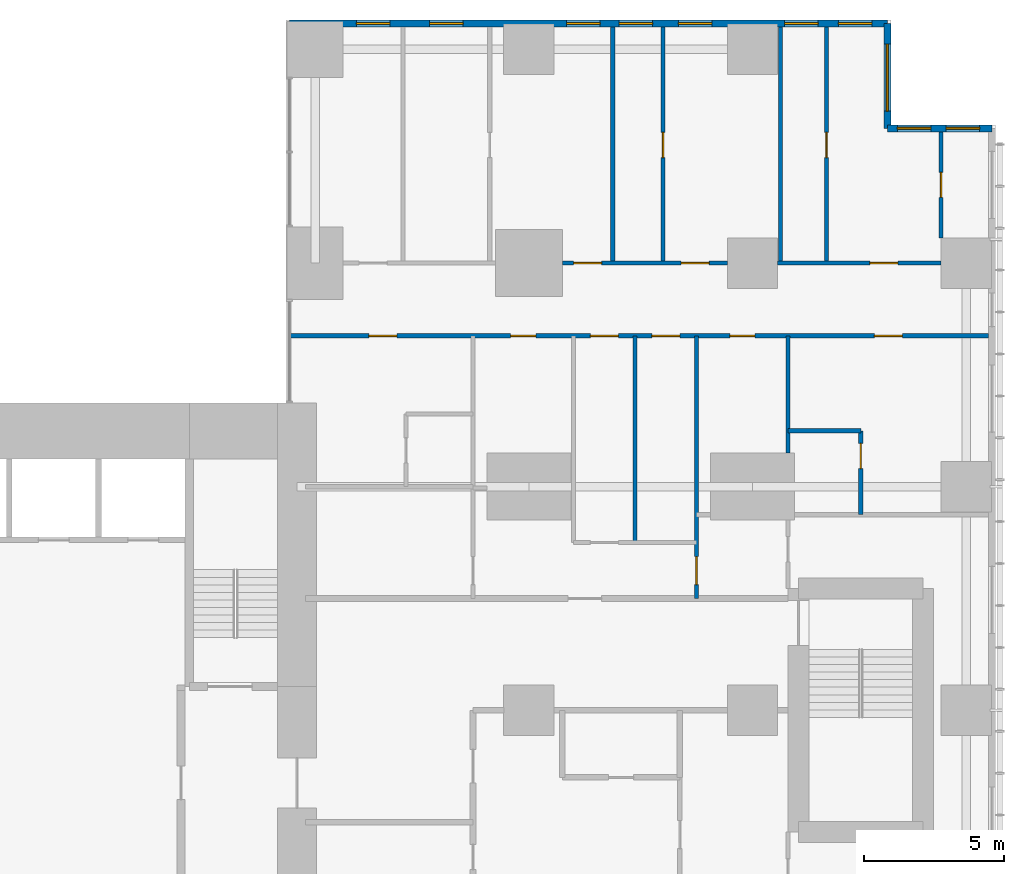
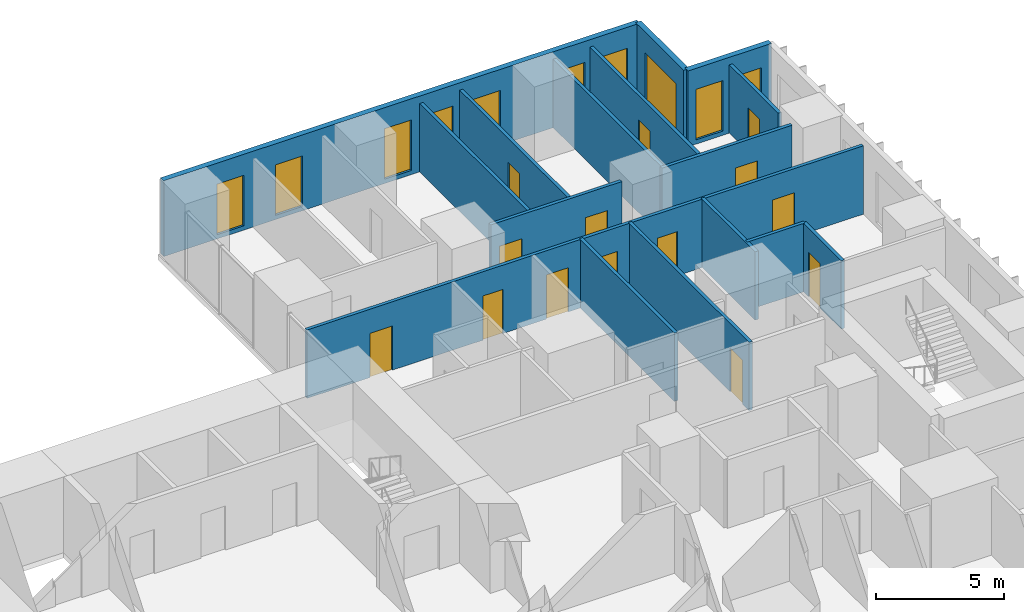
# One storey, part 13 of 15: 16 walls, 14 doors, 10 windows, 24 openings.
"""IFC4 building model written with IfcOpenShell, lengths in metres."""

from ifc_helpers import new_model, si_unit, direction, frame, frame_2d, origin, place, context, subcontext, project, spatial, rectangle, extrude, material, layer, layer_set, type_object, element, fill, save


model = new_model("IFC4")

# Units and contexts
model_context = context("Model", 3, precision=1e-05, world=origin(), true_north=direction((0.0, 1.0)))
body_context = subcontext(model_context, "Body", "Model", "MODEL_VIEW")
ifc_project = project(units=[si_unit("LENGTHUNIT", "METRE"), si_unit("AREAUNIT", "SQUARE_METRE"), si_unit("VOLUMEUNIT", "CUBIC_METRE"), si_unit("PLANEANGLEUNIT", "RADIAN"), si_unit("MASSUNIT", "GRAM", prefix="KILO")], contexts=[model_context])

# Site, building, storey
site_placement = place(None, origin())
site = spatial("IfcSite", under=ifc_project, at=site_placement, CompositionType="ELEMENT")
building_placement = place(site_placement, origin())
building = spatial("IfcBuilding", under=site, at=building_placement, Name="Cleftline Residences", CompositionType="ELEMENT")
storey_placement = place(building_placement, frame((0.0, 0.0, 221.800048828125)))
storey = spatial("IfcBuildingStorey", under=building, at=storey_placement, Name="L58", CompositionType="ELEMENT", Elevation=221.800048828125)

# Wall, openings, windows
ifc_material_1 = material(Name="Rendered reinforced concrete blockwork", Category="masonry")
ifc_layer_1 = layer(ifc_material_1, 0.25)
ifc_layer_set_1 = layer_set([ifc_layer_1], Name="EXTERNAL WALL 250")
wall_type_1 = type_object("IfcWallType", Name="EXTERNAL WALL 250", PredefinedType="SOLIDWALL", material=ifc_layer_set_1)
wall_1_placement = place(storey_placement, frame((66.574951171875, 44.824951171875, 0.0), z_axis=(0.0, 0.0, 1.0), x_axis=(-1.0, 0.0, 0.0)))
wall_1 = element("IfcWall", 1, at=wall_1_placement, inside=storey, type_object=wall_type_1, Name="External wall", PredefinedType="SOLIDWALL", context=body_context, shape_type="SweptSolid", body=[
    extrude(rectangle(XDim=3.75, YDim=0.25, at=frame_2d((1.875, 0.0))), origin(), (0.0, 0.0, 1.0), 3.599853515625),
])
opening_1_placement = place(wall_1_placement, frame((0.449951171875, 0.0, 0.199951171875)))
opening_1 = element("IfcOpeningElement", 2, at=opening_1_placement, cuts=wall_1, Name="Opening W13", PredefinedType="OPENING", context=body_context, shape_type="SweptSolid", body=[
    extrude(rectangle(XDim=1.199951171875, YDim=2.39990234375, at=frame_2d((0.60009765625, 1.199951171875))), frame((0.0, 0.135009765625, 0.0), z_axis=(0.0, -1.0, 0.0), x_axis=(1.0, 0.0, 0.0)), (0.0, 0.0, 1.0), 0.27001953125),
])
opening_2_placement = place(wall_1_placement, frame((2.1875, 0.0, 0.199951171875)))
opening_2 = element("IfcOpeningElement", 3, at=opening_2_placement, cuts=wall_1, Name="Opening W13", PredefinedType="OPENING", context=body_context, shape_type="SweptSolid", body=[
    extrude(rectangle(XDim=1.199951171875, YDim=2.39990234375, at=frame_2d((0.60009765625, 1.199951171875))), frame((0.0, 0.135009765625, 0.0), z_axis=(0.0, -1.0, 0.0), x_axis=(1.0, 0.0, 0.0)), (0.0, 0.0, 1.0), 0.27001953125),
])
ifc_material_2 = material(Name="Aluminium frame, clear double glazing", Category="aluminium")
window_type_1 = type_object("IfcWindowType", Name="WINDOW 1200X2400", PartitioningType="DOUBLE_PANEL_VERTICAL", PredefinedType="WINDOW", material=ifc_material_2)
window_1_placement = place(opening_1_placement, origin())
window_1 = element("IfcWindow", 4, at=window_1_placement, inside=storey, type_object=window_type_1, Name="Window", OverallHeight=2.39990234375, OverallWidth=1.199951171875, PartitioningType="SINGLE_PANEL", PredefinedType="WINDOW", context=body_context, shape_type="SweptSolid", body=[
    extrude(rectangle(XDim=1.199951171875, YDim=2.39990234375, at=frame_2d((0.60009765625, 1.199951171875))), frame((0.0, 0.030029296875, 0.0), z_axis=(0.0, -1.0, 0.0), x_axis=(1.0, 0.0, 0.0)), (0.0, 0.0, 1.0), 0.06005859375),
])
fill(opening_1, window_1)
window_2_placement = place(opening_2_placement, origin())
window_2 = element("IfcWindow", 5, at=window_2_placement, inside=storey, type_object=window_type_1, Name="Window", OverallHeight=2.39990234375, OverallWidth=1.199951171875, PartitioningType="SINGLE_PANEL", PredefinedType="WINDOW", context=body_context, shape_type="SweptSolid", body=[
    extrude(rectangle(XDim=1.199951171875, YDim=2.39990234375, at=frame_2d((0.60009765625, 1.199951171875))), frame((0.0, 0.030029296875, 0.0), z_axis=(0.0, -1.0, 0.0), x_axis=(1.0, 0.0, 0.0)), (0.0, 0.0, 1.0), 0.06005859375),
])
fill(opening_2, window_2)

# Wall, opening, window
wall_2_placement = place(storey_placement, frame((62.824951171875, 44.824951171875, 0.0), z_axis=(0.0, 0.0, 1.0), x_axis=(0.0, 1.0, 0.0)))
wall_2 = element("IfcWall", 6, at=wall_2_placement, inside=storey, type_object=wall_type_1, Name="External wall", PredefinedType="SOLIDWALL", context=body_context, shape_type="SweptSolid", body=[
    extrude(rectangle(XDim=3.75, YDim=0.25, at=frame_2d((1.875, 0.0))), origin(), (0.0, 0.0, 1.0), 3.599853515625),
])
opening_3_placement = place(wall_2_placement, frame((0.612548828125, 0.0, 0.199951171875)))
opening_3 = element("IfcOpeningElement", 7, at=opening_3_placement, cuts=wall_2, Name="Opening W9", PredefinedType="OPENING", context=body_context, shape_type="SweptSolid", body=[
    extrude(rectangle(XDim=2.39990234375, YDim=2.39990234375, at=frame_2d((1.199951171875, 1.199951171875))), frame((0.0, 0.135009765625, 0.0), z_axis=(0.0, -1.0, 0.0), x_axis=(1.0, 0.0, 0.0)), (0.0, 0.0, 1.0), 0.27001953125),
])
ifc_material_3 = material(Name="Aluminium frame, clear double glazing", Category="aluminium")
window_type_2 = type_object("IfcWindowType", Name="WINDOW 2400X2400", PartitioningType="DOUBLE_PANEL_VERTICAL", PredefinedType="WINDOW", material=ifc_material_3)
window_3_placement = place(opening_3_placement, origin())
window_3 = element("IfcWindow", 8, at=window_3_placement, inside=storey, type_object=window_type_2, Name="Window", OverallHeight=2.39990234375, OverallWidth=2.39990234375, PartitioningType="SINGLE_PANEL", PredefinedType="WINDOW", context=body_context, shape_type="SweptSolid", body=[
    extrude(rectangle(XDim=2.39990234375, YDim=2.39990234375, at=frame_2d((1.199951171875, 1.199951171875))), frame((0.0, 0.030029296875, 0.0), z_axis=(0.0, -1.0, 0.0), x_axis=(1.0, 0.0, 0.0)), (0.0, 0.0, 1.0), 0.06005859375),
])
fill(opening_3, window_3)

# Wall, openings, windows
wall_3_placement = place(storey_placement, frame((62.824951171875, 48.574951171875, 0.0), z_axis=(0.0, 0.0, 1.0), x_axis=(-1.0, 0.0, 0.0)))
wall_3 = element("IfcWall", 9, at=wall_3_placement, inside=storey, type_object=wall_type_1, Name="External wall", PredefinedType="SOLIDWALL", context=body_context, shape_type="SweptSolid", body=[
    extrude(rectangle(XDim=21.39990234375, YDim=0.25, at=frame_2d((10.699951171875, 0.0))), origin(), (0.0, 0.0, 1.0), 3.599853515625),
])
opening_4_placement = place(wall_3_placement, frame((0.550048828125, 0.0, 0.199951171875)))
opening_4 = element("IfcOpeningElement", 10, at=opening_4_placement, cuts=wall_3, Name="Opening W13", PredefinedType="OPENING", context=body_context, shape_type="SweptSolid", body=[
    extrude(rectangle(XDim=1.199951171875, YDim=2.39990234375, at=frame_2d((0.60009765625, 1.199951171875))), frame((0.0, 0.135009765625, 0.0), z_axis=(0.0, -1.0, 0.0), x_axis=(1.0, 0.0, 0.0)), (0.0, 0.0, 1.0), 0.27001953125),
])
opening_5_placement = place(wall_3_placement, frame((2.47509765625, 0.0, 0.199951171875)))
opening_5 = element("IfcOpeningElement", 11, at=opening_5_placement, cuts=wall_3, Name="Opening W13", PredefinedType="OPENING", context=body_context, shape_type="SweptSolid", body=[
    extrude(rectangle(XDim=1.199951171875, YDim=2.39990234375, at=frame_2d((0.60009765625, 1.199951171875))), frame((0.0, 0.135009765625, 0.0), z_axis=(0.0, -1.0, 0.0), x_axis=(1.0, 0.0, 0.0)), (0.0, 0.0, 1.0), 0.27001953125),
])
opening_6_placement = place(wall_3_placement, frame((6.27490234375, 0.0, 0.199951171875)))
opening_6 = element("IfcOpeningElement", 12, at=opening_6_placement, cuts=wall_3, Name="Opening W13", PredefinedType="OPENING", context=body_context, shape_type="SweptSolid", body=[
    extrude(rectangle(XDim=1.199951171875, YDim=2.39990234375, at=frame_2d((0.60009765625, 1.199951171875))), frame((0.0, 0.135009765625, 0.0), z_axis=(0.0, -1.0, 0.0), x_axis=(1.0, 0.0, 0.0)), (0.0, 0.0, 1.0), 0.27001953125),
])
opening_7_placement = place(wall_3_placement, frame((8.39990234375, 0.0, 0.199951171875)))
opening_7 = element("IfcOpeningElement", 13, at=opening_7_placement, cuts=wall_3, Name="Opening W13", PredefinedType="OPENING", context=body_context, shape_type="SweptSolid", body=[
    extrude(rectangle(XDim=1.199951171875, YDim=2.39990234375, at=frame_2d((0.60009765625, 1.199951171875))), frame((0.0, 0.135009765625, 0.0), z_axis=(0.0, -1.0, 0.0), x_axis=(1.0, 0.0, 0.0)), (0.0, 0.0, 1.0), 0.27001953125),
])
opening_8_placement = place(wall_3_placement, frame((10.27490234375, 0.0, 0.199951171875)))
opening_8 = element("IfcOpeningElement", 14, at=opening_8_placement, cuts=wall_3, Name="Opening W13", PredefinedType="OPENING", context=body_context, shape_type="SweptSolid", body=[
    extrude(rectangle(XDim=1.199951171875, YDim=2.39990234375, at=frame_2d((0.60009765625, 1.199951171875))), frame((0.0, 0.135009765625, 0.0), z_axis=(0.0, -1.0, 0.0), x_axis=(1.0, 0.0, 0.0)), (0.0, 0.0, 1.0), 0.27001953125),
])
opening_9_placement = place(wall_3_placement, frame((15.175048828125, 0.0, 0.199951171875)))
opening_9 = element("IfcOpeningElement", 15, at=opening_9_placement, cuts=wall_3, Name="Opening W13", PredefinedType="OPENING", context=body_context, shape_type="SweptSolid", body=[
    extrude(rectangle(XDim=1.199951171875, YDim=2.39990234375, at=frame_2d((0.60009765625, 1.199951171875))), frame((0.0, 0.135009765625, 0.0), z_axis=(0.0, -1.0, 0.0), x_axis=(1.0, 0.0, 0.0)), (0.0, 0.0, 1.0), 0.27001953125),
])
opening_10_placement = place(wall_3_placement, frame((17.800048828125, 0.0, 0.199951171875)))
opening_10 = element("IfcOpeningElement", 16, at=opening_10_placement, cuts=wall_3, Name="Opening W13", PredefinedType="OPENING", context=body_context, shape_type="SweptSolid", body=[
    extrude(rectangle(XDim=1.199951171875, YDim=2.39990234375, at=frame_2d((0.60009765625, 1.199951171875))), frame((0.0, 0.135009765625, 0.0), z_axis=(0.0, -1.0, 0.0), x_axis=(1.0, 0.0, 0.0)), (0.0, 0.0, 1.0), 0.27001953125),
])
window_4_placement = place(opening_4_placement, origin())
window_4 = element("IfcWindow", 17, at=window_4_placement, inside=storey, type_object=window_type_1, Name="Window", OverallHeight=2.39990234375, OverallWidth=1.199951171875, PartitioningType="SINGLE_PANEL", PredefinedType="WINDOW", context=body_context, shape_type="SweptSolid", body=[
    extrude(rectangle(XDim=1.199951171875, YDim=2.39990234375, at=frame_2d((0.60009765625, 1.199951171875))), frame((0.0, 0.030029296875, 0.0), z_axis=(0.0, -1.0, 0.0), x_axis=(1.0, 0.0, 0.0)), (0.0, 0.0, 1.0), 0.06005859375),
])
fill(opening_4, window_4)
window_5_placement = place(opening_5_placement, origin())
window_5 = element("IfcWindow", 18, at=window_5_placement, inside=storey, type_object=window_type_1, Name="Window", OverallHeight=2.39990234375, OverallWidth=1.199951171875, PartitioningType="SINGLE_PANEL", PredefinedType="WINDOW", context=body_context, shape_type="SweptSolid", body=[
    extrude(rectangle(XDim=1.199951171875, YDim=2.39990234375, at=frame_2d((0.60009765625, 1.199951171875))), frame((0.0, 0.030029296875, 0.0), z_axis=(0.0, -1.0, 0.0), x_axis=(1.0, 0.0, 0.0)), (0.0, 0.0, 1.0), 0.06005859375),
])
fill(opening_5, window_5)
window_6_placement = place(opening_6_placement, origin())
window_6 = element("IfcWindow", 19, at=window_6_placement, inside=storey, type_object=window_type_1, Name="Window", OverallHeight=2.39990234375, OverallWidth=1.199951171875, PartitioningType="SINGLE_PANEL", PredefinedType="WINDOW", context=body_context, shape_type="SweptSolid", body=[
    extrude(rectangle(XDim=1.199951171875, YDim=2.39990234375, at=frame_2d((0.60009765625, 1.199951171875))), frame((0.0, 0.030029296875, 0.0), z_axis=(0.0, -1.0, 0.0), x_axis=(1.0, 0.0, 0.0)), (0.0, 0.0, 1.0), 0.06005859375),
])
fill(opening_6, window_6)
window_7_placement = place(opening_7_placement, origin())
window_7 = element("IfcWindow", 20, at=window_7_placement, inside=storey, type_object=window_type_1, Name="Window", OverallHeight=2.39990234375, OverallWidth=1.199951171875, PartitioningType="SINGLE_PANEL", PredefinedType="WINDOW", context=body_context, shape_type="SweptSolid", body=[
    extrude(rectangle(XDim=1.199951171875, YDim=2.39990234375, at=frame_2d((0.60009765625, 1.199951171875))), frame((0.0, 0.030029296875, 0.0), z_axis=(0.0, -1.0, 0.0), x_axis=(1.0, 0.0, 0.0)), (0.0, 0.0, 1.0), 0.06005859375),
])
fill(opening_7, window_7)
window_8_placement = place(opening_8_placement, origin())
window_8 = element("IfcWindow", 21, at=window_8_placement, inside=storey, type_object=window_type_1, Name="Window", OverallHeight=2.39990234375, OverallWidth=1.199951171875, PartitioningType="SINGLE_PANEL", PredefinedType="WINDOW", context=body_context, shape_type="SweptSolid", body=[
    extrude(rectangle(XDim=1.199951171875, YDim=2.39990234375, at=frame_2d((0.60009765625, 1.199951171875))), frame((0.0, 0.030029296875, 0.0), z_axis=(0.0, -1.0, 0.0), x_axis=(1.0, 0.0, 0.0)), (0.0, 0.0, 1.0), 0.06005859375),
])
fill(opening_8, window_8)
window_9_placement = place(opening_9_placement, origin())
window_9 = element("IfcWindow", 22, at=window_9_placement, inside=storey, type_object=window_type_1, Name="Window", OverallHeight=2.39990234375, OverallWidth=1.199951171875, PartitioningType="SINGLE_PANEL", PredefinedType="WINDOW", context=body_context, shape_type="SweptSolid", body=[
    extrude(rectangle(XDim=1.199951171875, YDim=2.39990234375, at=frame_2d((0.60009765625, 1.199951171875))), frame((0.0, 0.030029296875, 0.0), z_axis=(0.0, -1.0, 0.0), x_axis=(1.0, 0.0, 0.0)), (0.0, 0.0, 1.0), 0.06005859375),
])
fill(opening_9, window_9)
window_10_placement = place(opening_10_placement, origin())
window_10 = element("IfcWindow", 23, at=window_10_placement, inside=storey, type_object=window_type_1, Name="Window", OverallHeight=2.39990234375, OverallWidth=1.199951171875, PartitioningType="SINGLE_PANEL", PredefinedType="WINDOW", context=body_context, shape_type="SweptSolid", body=[
    extrude(rectangle(XDim=1.199951171875, YDim=2.39990234375, at=frame_2d((0.60009765625, 1.199951171875))), frame((0.0, 0.030029296875, 0.0), z_axis=(0.0, -1.0, 0.0), x_axis=(1.0, 0.0, 0.0)), (0.0, 0.0, 1.0), 0.06005859375),
])
fill(opening_10, window_10)

# Wall
ifc_material_4 = material(Name="Gypsum board on steel studs", Category="steel")
ifc_layer_2 = layer(ifc_material_4, 0.14990234375)
ifc_layer_set_2 = layer_set([ifc_layer_2], Name="PARTITION 150")
wall_type_2 = type_object("IfcWallType", Name="PARTITION 150", PredefinedType="PARTITIONING", material=ifc_layer_set_2)
wall_4_placement = place(storey_placement, frame((59.27490234375, 34.0, 0.0), z_axis=(0.0, 0.0, 1.0), x_axis=(1.0, 0.0, 0.0)))
element("IfcWall", 24, at=wall_4_placement, inside=storey, type_object=wall_type_2, Name="Partition", PredefinedType="PARTITIONING", context=body_context, shape_type="SweptSolid", body=[
    extrude(rectangle(XDim=2.60009765625, YDim=0.14990234375, at=frame_2d((1.300048828125, 0.0))), origin(), (0.0, 0.0, 1.0), 3.25),
])

# Wall, openings, doors
wall_5_placement = place(storey_placement, frame((41.43896484375, 37.39990234375, 0.0), z_axis=(0.0, 0.0, 1.0), x_axis=(1.0, 0.0, 0.0)))
wall_5 = element("IfcWall", 25, at=wall_5_placement, inside=storey, type_object=wall_type_2, Name="Partition", PredefinedType="PARTITIONING", context=body_context, shape_type="SweptSolid", body=[
    extrude(rectangle(XDim=25.010986328125, YDim=0.14990234375, at=frame_2d((12.50537109375, 0.0))), origin(), (0.0, 0.0, 1.0), 3.25),
])
opening_11_placement = place(wall_5_placement, frame((10.760986328125, 0.0, 0.0)))
opening_11 = element("IfcOpeningElement", 26, at=opening_11_placement, cuts=wall_5, Name="Opening D2", PredefinedType="OPENING", context=body_context, shape_type="SweptSolid", body=[
    extrude(rectangle(XDim=1.0, YDim=2.10009765625, at=frame_2d((0.5, 1.050048828125))), frame((0.0, 0.0849609375, 0.0), z_axis=(0.0, -1.0, 0.0), x_axis=(1.0, 0.0, 0.0)), (0.0, 0.0, 1.0), 0.169921875),
])
opening_12_placement = place(wall_5_placement, frame((20.923583984375, 0.0, 0.0)))
opening_12 = element("IfcOpeningElement", 27, at=opening_12_placement, cuts=wall_5, Name="Opening D2", PredefinedType="OPENING", context=body_context, shape_type="SweptSolid", body=[
    extrude(rectangle(XDim=1.0, YDim=2.10009765625, at=frame_2d((0.5, 1.050048828125))), frame((0.0, 0.0849609375, 0.0), z_axis=(0.0, -1.0, 0.0), x_axis=(1.0, 0.0, 0.0)), (0.0, 0.0, 1.0), 0.169921875),
])
opening_13_placement = place(wall_5_placement, frame((15.74853515625, 0.0, 0.0)))
opening_13 = element("IfcOpeningElement", 28, at=opening_13_placement, cuts=wall_5, Name="Opening D1", PredefinedType="OPENING", context=body_context, shape_type="SweptSolid", body=[
    extrude(rectangle(XDim=0.89990234375, YDim=2.10009765625, at=frame_2d((0.449951171875, 1.050048828125))), frame((0.0, 0.0849609375, 0.0), z_axis=(0.0, -1.0, 0.0), x_axis=(1.0, 0.0, 0.0)), (0.0, 0.0, 1.0), 0.169921875),
])
opening_14_placement = place(wall_5_placement, frame((12.9609375, 0.0, 0.0)))
opening_14 = element("IfcOpeningElement", 29, at=opening_14_placement, cuts=wall_5, Name="Opening D2", PredefinedType="OPENING", context=body_context, shape_type="SweptSolid", body=[
    extrude(rectangle(XDim=1.0, YDim=2.10009765625, at=frame_2d((0.5, 1.050048828125))), frame((0.0, 0.0849609375, 0.0), z_axis=(0.0, -1.0, 0.0), x_axis=(1.0, 0.0, 0.0)), (0.0, 0.0, 1.0), 0.169921875),
])
opening_15_placement = place(wall_5_placement, frame((7.910888671875, 0.0, 0.0)))
opening_15 = element("IfcOpeningElement", 30, at=opening_15_placement, cuts=wall_5, Name="Opening D1", PredefinedType="OPENING", context=body_context, shape_type="SweptSolid", body=[
    extrude(rectangle(XDim=0.89990234375, YDim=2.10009765625, at=frame_2d((0.449951171875, 1.050048828125))), frame((0.0, 0.0849609375, 0.0), z_axis=(0.0, -1.0, 0.0), x_axis=(1.0, 0.0, 0.0)), (0.0, 0.0, 1.0), 0.169921875),
])
opening_16_placement = place(wall_5_placement, frame((2.8359375, 0.0, 0.0)))
opening_16 = element("IfcOpeningElement", 31, at=opening_16_placement, cuts=wall_5, Name="Opening D2", PredefinedType="OPENING", context=body_context, shape_type="SweptSolid", body=[
    extrude(rectangle(XDim=1.0, YDim=2.10009765625, at=frame_2d((0.5, 1.050048828125))), frame((0.0, 0.0849609375, 0.0), z_axis=(0.0, -1.0, 0.0), x_axis=(1.0, 0.0, 0.0)), (0.0, 0.0, 1.0), 0.169921875),
])
ifc_material_5 = material(Name="Timber veneer on solid core", Category="wood")
door_type_1 = type_object("IfcDoorType", Name="DOOR 1000X2100", OperationType="SINGLE_SWING_LEFT", PredefinedType="DOOR", material=ifc_material_5)
door_1_placement = place(opening_11_placement, origin())
door_1 = element("IfcDoor", 32, at=door_1_placement, inside=storey, type_object=door_type_1, Name="Door to residence hall", OperationType="SINGLE_SWING_RIGHT", OverallHeight=2.10009765625, OverallWidth=1.0, PredefinedType="DOOR", context=body_context, shape_type="SweptSolid", body=[
    extrude(rectangle(XDim=1.0, YDim=2.10009765625, at=frame_2d((0.5, 1.050048828125))), frame((0.0, 0.02490234375, 0.0), z_axis=(0.0, -1.0, 0.0), x_axis=(1.0, 0.0, 0.0)), (0.0, 0.0, 1.0), 0.050048828125),
])
fill(opening_11, door_1)
door_2_placement = place(opening_12_placement, origin())
door_2 = element("IfcDoor", 33, at=door_2_placement, inside=storey, type_object=door_type_1, Name="Door to master bedroom", OperationType="SINGLE_SWING_LEFT", OverallHeight=2.10009765625, OverallWidth=1.0, PredefinedType="DOOR", context=body_context, shape_type="SweptSolid", body=[
    extrude(rectangle(XDim=1.0, YDim=2.10009765625, at=frame_2d((0.5, 1.050048828125))), frame((0.0, 0.02490234375, 0.0), z_axis=(0.0, -1.0, 0.0), x_axis=(1.0, 0.0, 0.0)), (0.0, 0.0, 1.0), 0.050048828125),
])
fill(opening_12, door_2)
door_3_placement = place(opening_14_placement, origin())
door_3 = element("IfcDoor", 34, at=door_3_placement, inside=storey, type_object=door_type_1, Name="Door to media room", OperationType="SINGLE_SWING_LEFT", OverallHeight=2.10009765625, OverallWidth=1.0, PredefinedType="DOOR", context=body_context, shape_type="SweptSolid", body=[
    extrude(rectangle(XDim=1.0, YDim=2.10009765625, at=frame_2d((0.5, 1.050048828125))), frame((0.0, 0.02490234375, 0.0), z_axis=(0.0, -1.0, 0.0), x_axis=(1.0, 0.0, 0.0)), (0.0, 0.0, 1.0), 0.050048828125),
])
fill(opening_14, door_3)
door_4_placement = place(opening_16_placement, origin())
door_4 = element("IfcDoor", 35, at=door_4_placement, inside=storey, type_object=door_type_1, Name="Door to bedroom 5", OperationType="SINGLE_SWING_RIGHT", OverallHeight=2.10009765625, OverallWidth=1.0, PredefinedType="DOOR", context=body_context, shape_type="SweptSolid", body=[
    extrude(rectangle(XDim=1.0, YDim=2.10009765625, at=frame_2d((0.5, 1.050048828125))), frame((0.0, 0.02490234375, 0.0), z_axis=(0.0, -1.0, 0.0), x_axis=(1.0, 0.0, 0.0)), (0.0, 0.0, 1.0), 0.050048828125),
])
fill(opening_16, door_4)
ifc_material_6 = material(Name="Timber veneer on solid core", Category="wood")
door_type_2 = type_object("IfcDoorType", Name="DOOR 900X2100", OperationType="SINGLE_SWING_LEFT", PredefinedType="DOOR", material=ifc_material_6)
door_5_placement = place(opening_13_placement, origin())
door_5 = element("IfcDoor", 36, at=door_5_placement, inside=storey, type_object=door_type_2, Name="Door to bedroom 2 bathroom", OperationType="SINGLE_SWING_LEFT", OverallHeight=2.10009765625, OverallWidth=0.89990234375, PredefinedType="DOOR", context=body_context, shape_type="SweptSolid", body=[
    extrude(rectangle(XDim=0.89990234375, YDim=2.10009765625, at=frame_2d((0.449951171875, 1.050048828125))), frame((0.0, 0.02490234375, 0.0), z_axis=(0.0, -1.0, 0.0), x_axis=(1.0, 0.0, 0.0)), (0.0, 0.0, 1.0), 0.050048828125),
])
fill(opening_13, door_5)
door_6_placement = place(opening_15_placement, origin())
door_6 = element("IfcDoor", 37, at=door_6_placement, inside=storey, type_object=door_type_2, Name="Door to linen store", OperationType="SINGLE_SWING_RIGHT", OverallHeight=2.10009765625, OverallWidth=0.89990234375, PredefinedType="DOOR", context=body_context, shape_type="SweptSolid", body=[
    extrude(rectangle(XDim=0.89990234375, YDim=2.10009765625, at=frame_2d((0.449951171875, 1.050048828125))), frame((0.0, 0.02490234375, 0.0), z_axis=(0.0, -1.0, 0.0), x_axis=(1.0, 0.0, 0.0)), (0.0, 0.0, 1.0), 0.050048828125),
])
fill(opening_15, door_6)

wall_6_placement = place(storey_placement, frame((51.199951171875, 40.0, 0.0), z_axis=(0.0, 0.0, 1.0), x_axis=(1.0, 0.0, 0.0)))
wall_6 = element("IfcWall", 38, at=wall_6_placement, inside=storey, type_object=wall_type_2, Name="Partition", PredefinedType="PARTITIONING", context=body_context, shape_type="SweptSolid", body=[
    extrude(rectangle(XDim=5.900146484375, YDim=0.14990234375, at=frame_2d((2.9501953125, 0.0))), origin(), (0.0, 0.0, 1.0), 3.25),
])
opening_17_placement = place(wall_6_placement, frame((4.25, 0.0, 0.0)))
opening_17 = element("IfcOpeningElement", 39, at=opening_17_placement, cuts=wall_6, Name="Opening D2", PredefinedType="OPENING", context=body_context, shape_type="SweptSolid", body=[
    extrude(rectangle(XDim=1.0, YDim=2.10009765625, at=frame_2d((0.5, 1.050048828125))), frame((0.0, 0.0849609375, 0.0), z_axis=(0.0, -1.0, 0.0), x_axis=(1.0, 0.0, 0.0)), (0.0, 0.0, 1.0), 0.169921875),
])
opening_18_placement = place(wall_6_placement, frame((0.39990234375, 0.0, 0.0)))
opening_18 = element("IfcOpeningElement", 40, at=opening_18_placement, cuts=wall_6, Name="Opening D2", PredefinedType="OPENING", context=body_context, shape_type="SweptSolid", body=[
    extrude(rectangle(XDim=1.0, YDim=2.10009765625, at=frame_2d((0.5, 1.050048828125))), frame((0.0, 0.0849609375, 0.0), z_axis=(0.0, -1.0, 0.0), x_axis=(1.0, 0.0, 0.0)), (0.0, 0.0, 1.0), 0.169921875),
])
door_7_placement = place(opening_17_placement, origin())
door_7 = element("IfcDoor", 41, at=door_7_placement, inside=storey, type_object=door_type_1, Name="Door to bedroom 3", OperationType="SINGLE_SWING_LEFT", OverallHeight=2.10009765625, OverallWidth=1.0, PredefinedType="DOOR", context=body_context, shape_type="SweptSolid", body=[
    extrude(rectangle(XDim=1.0, YDim=2.10009765625, at=frame_2d((0.5, 1.050048828125))), frame((0.0, 0.02490234375, 0.0), z_axis=(0.0, -1.0, 0.0), x_axis=(1.0, 0.0, 0.0)), (0.0, 0.0, 1.0), 0.050048828125),
])
fill(opening_17, door_7)
door_8_placement = place(opening_18_placement, origin())
door_8 = element("IfcDoor", 42, at=door_8_placement, inside=storey, type_object=door_type_1, Name="Door to bedroom 4", OperationType="SINGLE_SWING_RIGHT", OverallHeight=2.10009765625, OverallWidth=1.0, PredefinedType="DOOR", context=body_context, shape_type="SweptSolid", body=[
    extrude(rectangle(XDim=1.0, YDim=2.10009765625, at=frame_2d((0.5, 1.050048828125))), frame((0.0, 0.02490234375, 0.0), z_axis=(0.0, -1.0, 0.0), x_axis=(1.0, 0.0, 0.0)), (0.0, 0.0, 1.0), 0.050048828125),
])
fill(opening_18, door_8)

# Wall, opening, door
wall_7_placement = place(storey_placement, frame((58.89990234375, 40.0, 0.0), z_axis=(0.0, 0.0, 1.0), x_axis=(1.0, 0.0, 0.0)))
wall_7 = element("IfcWall", 43, at=wall_7_placement, inside=storey, type_object=wall_type_2, Name="Partition", PredefinedType="PARTITIONING", context=body_context, shape_type="SweptSolid", body=[
    extrude(rectangle(XDim=5.85009765625, YDim=0.14990234375, at=frame_2d((2.925048828125, 0.0))), origin(), (0.0, 0.0, 1.0), 3.25),
])
opening_19_placement = place(wall_7_placement, frame((3.300048828125, 0.0, 0.0)))
opening_19 = element("IfcOpeningElement", 44, at=opening_19_placement, cuts=wall_7, Name="Opening D2", PredefinedType="OPENING", context=body_context, shape_type="SweptSolid", body=[
    extrude(rectangle(XDim=1.0, YDim=2.10009765625, at=frame_2d((0.5, 1.050048828125))), frame((0.0, 0.0849609375, 0.0), z_axis=(0.0, -1.0, 0.0), x_axis=(1.0, 0.0, 0.0)), (0.0, 0.0, 1.0), 0.169921875),
])
door_9_placement = place(opening_19_placement, origin())
door_9 = element("IfcDoor", 45, at=door_9_placement, inside=storey, type_object=door_type_1, Name="Door to bedroom 2", OperationType="SINGLE_SWING_LEFT", OverallHeight=2.10009765625, OverallWidth=1.0, PredefinedType="DOOR", context=body_context, shape_type="SweptSolid", body=[
    extrude(rectangle(XDim=1.0, YDim=2.10009765625, at=frame_2d((0.5, 1.050048828125))), frame((0.0, 0.02490234375, 0.0), z_axis=(0.0, -1.0, 0.0), x_axis=(1.0, 0.0, 0.0)), (0.0, 0.0, 1.0), 0.050048828125),
])
fill(opening_19, door_9)

# Walls
wall_8_placement = place(storey_placement, frame((53.0, 40.0, 0.0), z_axis=(0.0, 0.0, 1.0), x_axis=(0.0, 1.0, 0.0)))
element("IfcWall", 46, at=wall_8_placement, inside=storey, type_object=wall_type_2, Name="Partition", PredefinedType="PARTITIONING", context=body_context, shape_type="SweptSolid", body=[
    extrude(rectangle(XDim=8.449951171875, YDim=0.14990234375, at=frame_2d((4.22509765625, 0.0))), origin(), (0.0, 0.0, 1.0), 3.25),
])
wall_9_placement = place(storey_placement, frame((53.800048828125, 30.0, 0.0), z_axis=(0.0, 0.0, 1.0), x_axis=(0.0, 1.0, 0.0)))
element("IfcWall", 47, at=wall_9_placement, inside=storey, type_object=wall_type_2, Name="Partition", PredefinedType="PARTITIONING", context=body_context, shape_type="SweptSolid", body=[
    extrude(rectangle(XDim=7.39990234375, YDim=0.14990234375, at=frame_2d((3.699951171875, 0.0))), origin(), (0.0, 0.0, 1.0), 3.25),
])

# Wall, opening, door
wall_10_placement = place(storey_placement, frame((54.800048828125, 40.0, 0.0), z_axis=(0.0, 0.0, 1.0), x_axis=(0.0, 1.0, 0.0)))
wall_10 = element("IfcWall", 48, at=wall_10_placement, inside=storey, type_object=wall_type_2, Name="Partition", PredefinedType="PARTITIONING", context=body_context, shape_type="SweptSolid", body=[
    extrude(rectangle(XDim=8.449951171875, YDim=0.14990234375, at=frame_2d((4.22509765625, 0.0))), origin(), (0.0, 0.0, 1.0), 3.25),
])
opening_20_placement = place(wall_10_placement, frame((3.77490234375, 0.0, 0.0)))
opening_20 = element("IfcOpeningElement", 49, at=opening_20_placement, cuts=wall_10, Name="Opening D1", PredefinedType="OPENING", context=body_context, shape_type="SweptSolid", body=[
    extrude(rectangle(XDim=0.89990234375, YDim=2.10009765625, at=frame_2d((0.449951171875, 1.050048828125))), frame((0.0, 0.0849609375, 0.0), z_axis=(0.0, -1.0, 0.0), x_axis=(1.0, 0.0, 0.0)), (0.0, 0.0, 1.0), 0.169921875),
])
door_10_placement = place(opening_20_placement, origin())
door_10 = element("IfcDoor", 50, at=door_10_placement, inside=storey, type_object=door_type_2, Name="Door to en-suite bathroom 3", OperationType="SINGLE_SWING_LEFT", OverallHeight=2.10009765625, OverallWidth=0.89990234375, PredefinedType="DOOR", context=body_context, shape_type="SweptSolid", body=[
    extrude(rectangle(XDim=0.89990234375, YDim=2.10009765625, at=frame_2d((0.449951171875, 1.050048828125))), frame((0.0, 0.02490234375, 0.0), z_axis=(0.0, -1.0, 0.0), x_axis=(1.0, 0.0, 0.0)), (0.0, 0.0, 1.0), 0.050048828125),
])
fill(opening_20, door_10)

wall_11_placement = place(storey_placement, frame((56.0, 28.0, 0.0), z_axis=(0.0, 0.0, 1.0), x_axis=(0.0, 1.0, 0.0)))
wall_11 = element("IfcWall", 51, at=wall_11_placement, inside=storey, type_object=wall_type_2, Name="Partition", PredefinedType="PARTITIONING", context=body_context, shape_type="SweptSolid", body=[
    extrude(rectangle(XDim=9.39990234375, YDim=0.14990234375, at=frame_2d((4.699951171875, 0.0))), origin(), (0.0, 0.0, 1.0), 3.25),
])
opening_21_placement = place(wall_11_placement, frame((0.5, 0.0, 0.0)))
opening_21 = element("IfcOpeningElement", 52, at=opening_21_placement, cuts=wall_11, Name="Opening D2F30", PredefinedType="OPENING", context=body_context, shape_type="SweptSolid", body=[
    extrude(rectangle(XDim=1.0, YDim=2.10009765625, at=frame_2d((0.5, 1.050048828125))), frame((0.0, 0.0849609375, 0.0), z_axis=(0.0, -1.0, 0.0), x_axis=(1.0, 0.0, 0.0)), (0.0, 0.0, 1.0), 0.169921875),
])
ifc_material_7 = material(Name="Timber veneer on solid core", Category="wood")
door_type_3 = type_object("IfcDoorType", Name="DOOR 1000X2100 EI 30", OperationType="SINGLE_SWING_LEFT", PredefinedType="DOOR", material=ifc_material_7)
door_11_placement = place(opening_21_placement, origin())
door_11 = element("IfcDoor", 53, at=door_11_placement, inside=storey, type_object=door_type_3, Name="Door to residence lobby (service)", OperationType="SINGLE_SWING_RIGHT", OverallHeight=2.10009765625, OverallWidth=1.0, PredefinedType="DOOR", context=body_context, shape_type="SweptSolid", body=[
    extrude(rectangle(XDim=1.0, YDim=2.10009765625, at=frame_2d((0.5, 1.050048828125))), frame((0.0, 0.02490234375, 0.0), z_axis=(0.0, -1.0, 0.0), x_axis=(1.0, 0.0, 0.0)), (0.0, 0.0, 1.0), 0.050048828125),
])
fill(opening_21, door_11)

# Walls
wall_12_placement = place(storey_placement, frame((59.0, 40.0, 0.0), z_axis=(0.0, 0.0, 1.0), x_axis=(0.0, 1.0, 0.0)))
element("IfcWall", 54, at=wall_12_placement, inside=storey, type_object=wall_type_2, Name="Partition", PredefinedType="PARTITIONING", context=body_context, shape_type="SweptSolid", body=[
    extrude(rectangle(XDim=8.449951171875, YDim=0.14990234375, at=frame_2d((4.22509765625, 0.0))), origin(), (0.0, 0.0, 1.0), 3.25),
])
wall_13_placement = place(storey_placement, frame((59.27490234375, 33.199951171875, 0.0), z_axis=(0.0, 0.0, 1.0), x_axis=(0.0, 1.0, 0.0)))
element("IfcWall", 55, at=wall_13_placement, inside=storey, type_object=wall_type_2, Name="Partition", PredefinedType="PARTITIONING", context=body_context, shape_type="SweptSolid", body=[
    extrude(rectangle(XDim=4.199951171875, YDim=0.14990234375, at=frame_2d((2.10009765625, 0.0))), origin(), (0.0, 0.0, 1.0), 3.25),
])

# Wall, opening, door
wall_14_placement = place(storey_placement, frame((60.64990234375, 40.0, 0.0), z_axis=(0.0, 0.0, 1.0), x_axis=(0.0, 1.0, 0.0)))
wall_14 = element("IfcWall", 56, at=wall_14_placement, inside=storey, type_object=wall_type_2, Name="Partition", PredefinedType="PARTITIONING", context=body_context, shape_type="SweptSolid", body=[
    extrude(rectangle(XDim=8.449951171875, YDim=0.14990234375, at=frame_2d((4.22509765625, 0.0))), origin(), (0.0, 0.0, 1.0), 3.25),
])
opening_22_placement = place(wall_14_placement, frame((3.77490234375, 0.0, 0.0)))
opening_22 = element("IfcOpeningElement", 57, at=opening_22_placement, cuts=wall_14, Name="Opening D1", PredefinedType="OPENING", context=body_context, shape_type="SweptSolid", body=[
    extrude(rectangle(XDim=0.89990234375, YDim=2.10009765625, at=frame_2d((0.449951171875, 1.050048828125))), frame((0.0, 0.0849609375, 0.0), z_axis=(0.0, -1.0, 0.0), x_axis=(1.0, 0.0, 0.0)), (0.0, 0.0, 1.0), 0.169921875),
])
door_12_placement = place(opening_22_placement, origin())
door_12 = element("IfcDoor", 58, at=door_12_placement, inside=storey, type_object=door_type_2, Name="Door to walk-in wardrobe", OperationType="SINGLE_SWING_LEFT", OverallHeight=2.10009765625, OverallWidth=0.89990234375, PredefinedType="DOOR", context=body_context, shape_type="SweptSolid", body=[
    extrude(rectangle(XDim=0.89990234375, YDim=2.10009765625, at=frame_2d((0.449951171875, 1.050048828125))), frame((0.0, 0.02490234375, 0.0), z_axis=(0.0, -1.0, 0.0), x_axis=(1.0, 0.0, 0.0)), (0.0, 0.0, 1.0), 0.050048828125),
])
fill(opening_22, door_12)

wall_15_placement = place(storey_placement, frame((61.875, 31.0, 0.0), z_axis=(0.0, 0.0, 1.0), x_axis=(0.0, 1.0, 0.0)))
wall_15 = element("IfcWall", 59, at=wall_15_placement, inside=storey, type_object=wall_type_2, Name="Partition", PredefinedType="PARTITIONING", context=body_context, shape_type="SweptSolid", body=[
    extrude(rectangle(XDim=3.0, YDim=0.14990234375, at=frame_2d((1.5, 0.0))), origin(), (0.0, 0.0, 1.0), 3.25),
])
opening_23_placement = place(wall_15_placement, frame((1.64990234375, 0.0, 0.0)))
opening_23 = element("IfcOpeningElement", 60, at=opening_23_placement, cuts=wall_15, Name="Opening D1", PredefinedType="OPENING", context=body_context, shape_type="SweptSolid", body=[
    extrude(rectangle(XDim=0.89990234375, YDim=2.10009765625, at=frame_2d((0.449951171875, 1.050048828125))), frame((0.0, 0.0849609375, 0.0), z_axis=(0.0, -1.0, 0.0), x_axis=(1.0, 0.0, 0.0)), (0.0, 0.0, 1.0), 0.169921875),
])
door_13_placement = place(opening_23_placement, origin())
door_13 = element("IfcDoor", 61, at=door_13_placement, inside=storey, type_object=door_type_2, Name="Door to master bathroom", OperationType="SINGLE_SWING_LEFT", OverallHeight=2.10009765625, OverallWidth=0.89990234375, PredefinedType="DOOR", context=body_context, shape_type="SweptSolid", body=[
    extrude(rectangle(XDim=0.89990234375, YDim=2.10009765625, at=frame_2d((0.449951171875, 1.050048828125))), frame((0.0, 0.02490234375, 0.0), z_axis=(0.0, -1.0, 0.0), x_axis=(1.0, 0.0, 0.0)), (0.0, 0.0, 1.0), 0.050048828125),
])
fill(opening_23, door_13)

wall_16_placement = place(storey_placement, frame((64.75, 40.89990234375, 0.0), z_axis=(0.0, 0.0, 1.0), x_axis=(0.0, 1.0, 0.0)))
wall_16 = element("IfcWall", 62, at=wall_16_placement, inside=storey, type_object=wall_type_2, Name="Partition", PredefinedType="PARTITIONING", context=body_context, shape_type="SweptSolid", body=[
    extrude(rectangle(XDim=3.800048828125, YDim=0.14990234375, at=frame_2d((1.89990234375, 0.0))), origin(), (0.0, 0.0, 1.0), 3.25),
])
opening_24_placement = place(wall_16_placement, frame((1.449951171875, 0.0, 0.0)))
opening_24 = element("IfcOpeningElement", 63, at=opening_24_placement, cuts=wall_16, Name="Opening D1", PredefinedType="OPENING", context=body_context, shape_type="SweptSolid", body=[
    extrude(rectangle(XDim=0.89990234375, YDim=2.10009765625, at=frame_2d((0.449951171875, 1.050048828125))), frame((0.0, 0.0849609375, 0.0), z_axis=(0.0, -1.0, 0.0), x_axis=(1.0, 0.0, 0.0)), (0.0, 0.0, 1.0), 0.169921875),
])
door_14_placement = place(opening_24_placement, origin())
door_14 = element("IfcDoor", 64, at=door_14_placement, inside=storey, type_object=door_type_2, Name="Door to music room", OperationType="SINGLE_SWING_LEFT", OverallHeight=2.10009765625, OverallWidth=0.89990234375, PredefinedType="DOOR", context=body_context, shape_type="SweptSolid", body=[
    extrude(rectangle(XDim=0.89990234375, YDim=2.10009765625, at=frame_2d((0.449951171875, 1.050048828125))), frame((0.0, 0.02490234375, 0.0), z_axis=(0.0, -1.0, 0.0), x_axis=(1.0, 0.0, 0.0)), (0.0, 0.0, 1.0), 0.050048828125),
])
fill(opening_24, door_14)

save(model, "model.ifc")
